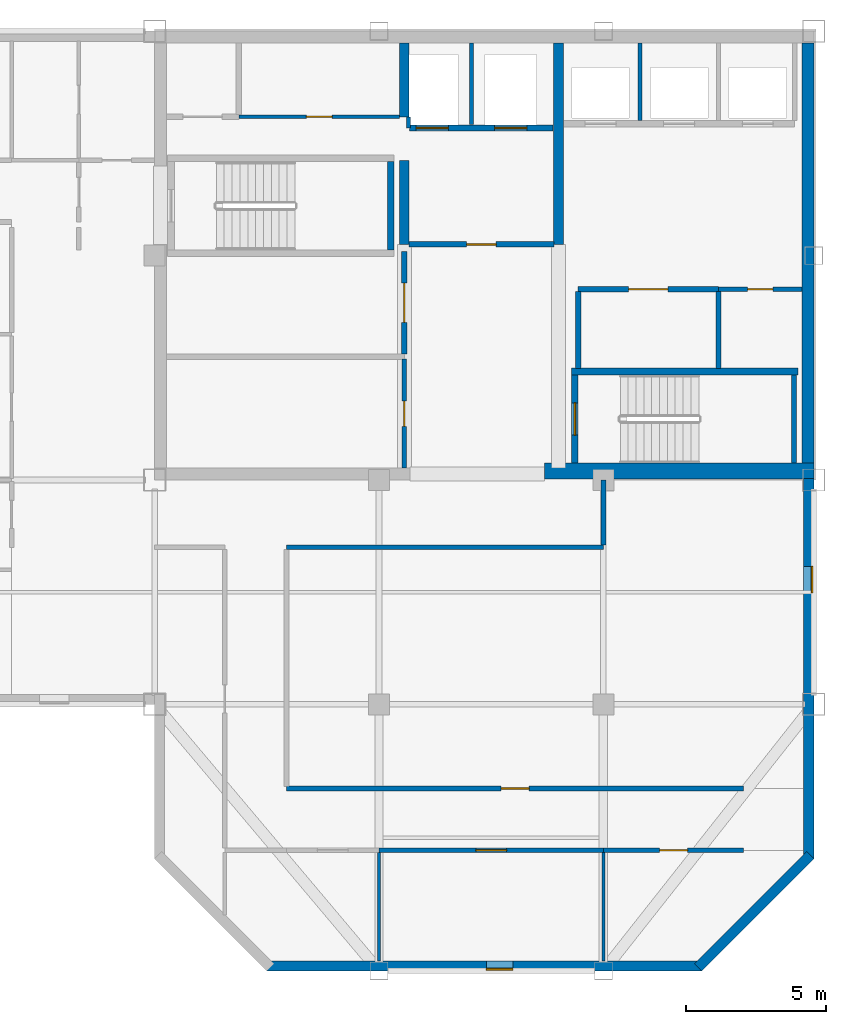
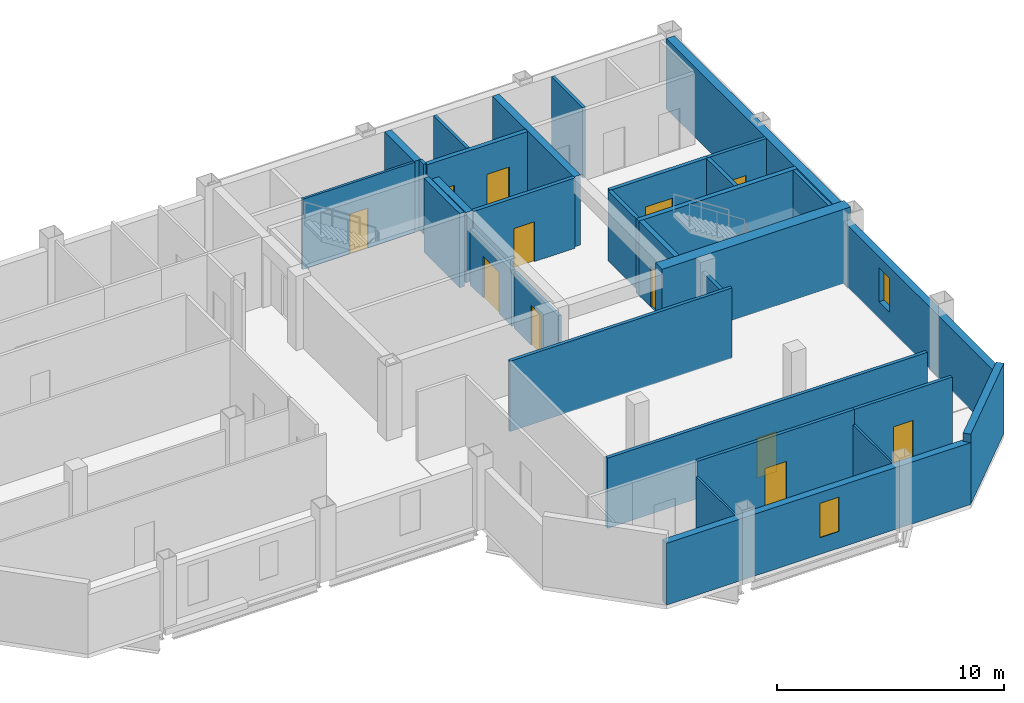
# One storey, part 3 of 7: 31 walls, 12 doors, 2 windows, 14 openings.
"""IFC4 building model written with IfcOpenShell, lengths in metres."""

from ifc_helpers import new_model, si_unit, direction, frame, frame_2d, origin, place, context, subcontext, project, spatial, rectangle, extrude, material, layer, layer_set, type_object, element, fill, save


model = new_model("IFC4")

# Units and contexts
model_context = context("Model", 3, precision=1e-05, world=origin(), true_north=direction((0.0, 1.0)))
body_context = subcontext(model_context, "Body", "Model", "MODEL_VIEW")
ifc_project = project(units=[si_unit("LENGTHUNIT", "METRE"), si_unit("AREAUNIT", "SQUARE_METRE"), si_unit("VOLUMEUNIT", "CUBIC_METRE"), si_unit("PLANEANGLEUNIT", "RADIAN"), si_unit("MASSUNIT", "GRAM", prefix="KILO")], contexts=[model_context])

# Site, building, storey
site_placement = place(None, origin())
site = spatial("IfcSite", under=ifc_project, at=site_placement, CompositionType="ELEMENT")
building_placement = place(site_placement, origin())
building = spatial("IfcBuilding", under=site, at=building_placement, Name="Qianrong Seaharbour Tower", CompositionType="ELEMENT")
storey_placement = place(building_placement, frame((0.0, 0.0, 311.199951171875)))
storey = spatial("IfcBuildingStorey", under=building, at=storey_placement, Name="L75", CompositionType="ELEMENT", Elevation=311.199951171875)

# Walls
ifc_material_1 = material(Name="Concrete C50/60", Category="concrete")
ifc_layer_1 = layer(ifc_material_1, 0.419921875)
ifc_layer_set_1 = layer_set([ifc_layer_1], Name="Concrete C50/60")
wall_type_1 = type_object("IfcWallType", Name="WALL-CORE-420", PredefinedType="SHEAR", material=ifc_layer_set_1)
wall_1_placement = place(storey_placement, frame((63.7900390625, 36.320068359375, 0.0), z_axis=(0.0, 0.0, 1.0), x_axis=(0.0, 1.0, 0.0)))
element("IfcWall", 1, at=wall_1_placement, inside=storey, type_object=wall_type_1, Name="L75 East Core Shear Wall", PredefinedType="SHEAR", context=body_context, shape_type="SweptSolid", body=[
    extrude(rectangle(XDim=15.260009765625, YDim=0.419921875, at=frame_2d((7.6298828125, 0.0))), origin(), (0.0, 0.0, 1.0), 3.78515625),
])
ifc_material_2 = material(Name="Concrete C70/85", Category="concrete")
ifc_layer_2 = layer(ifc_material_2, 0.580078125)
ifc_layer_set_2 = layer_set([ifc_layer_2], Name="Concrete C70/85")
wall_type_2 = type_object("IfcWallType", Name="WALL-CORE-580", PredefinedType="SHEAR", material=ifc_layer_set_2)
wall_2_placement = place(storey_placement, frame((54.39990234375, 36.320068359375, 0.0), z_axis=(0.0, 0.0, 1.0), x_axis=(1.0, 0.0, 0.0)))
element("IfcWall", 2, at=wall_2_placement, inside=storey, type_object=wall_type_2, Name="L75 South Core Shear Wall S3", PredefinedType="SHEAR", context=body_context, shape_type="SweptSolid", body=[
    extrude(rectangle(XDim=9.60009765625, YDim=0.580078125, at=frame_2d((4.800048828125, 0.0))), origin(), (0.0, 0.0, 1.0), 4.0),
])
ifc_layer_3 = layer(ifc_material_1, 0.35009765625)
ifc_layer_set_3 = layer_set([ifc_layer_3], Name="Concrete C50/60")
wall_type_3 = type_object("IfcWallType", Name="WALL-CORE-INT-350", PredefinedType="SHEAR", material=ifc_layer_set_3)
wall_3_placement = place(storey_placement, frame((49.39990234375, 44.39990234375, 0.0), z_axis=(0.0, 0.0, 1.0), x_axis=(0.0, 1.0, 0.0)))
element("IfcWall", 3, at=wall_3_placement, inside=storey, type_object=wall_type_3, Name="L75 Internal Core Shear Wall IW1N1", PredefinedType="SHEAR", context=body_context, shape_type="SweptSolid", body=[
    extrude(rectangle(XDim=3.0, YDim=0.35009765625, at=frame_2d((1.5, 0.0))), origin(), (0.0, 0.0, 1.0), 3.78515625),
])
wall_4_placement = place(storey_placement, frame((49.39990234375, 48.949951171875, 0.0), z_axis=(0.0, 0.0, 1.0), x_axis=(0.0, 1.0, 0.0)))
element("IfcWall", 4, at=wall_4_placement, inside=storey, type_object=wall_type_3, Name="L75 Internal Core Shear Wall IW1N2", PredefinedType="SHEAR", context=body_context, shape_type="SweptSolid", body=[
    extrude(rectangle(XDim=2.630126953125, YDim=0.35009765625, at=frame_2d((1.31494140625, 0.0))), origin(), (0.0, 0.0, 1.0), 3.78515625),
])
wall_5_placement = place(storey_placement, frame((54.89990234375, 44.39990234375, 0.0), z_axis=(0.0, 0.0, 1.0), x_axis=(0.0, 1.0, 0.0)))
element("IfcWall", 5, at=wall_5_placement, inside=storey, type_object=wall_type_3, Name="L75 Internal Core Shear Wall IW2N", PredefinedType="SHEAR", context=body_context, shape_type="SweptSolid", body=[
    extrude(rectangle(XDim=7.18017578125, YDim=0.35009765625, at=frame_2d((3.590087890625, 0.0))), origin(), (0.0, 0.0, 1.0), 3.78515625),
])

# Wall, opening, door
ifc_material_3 = material(Name="Fire-rated acoustic gypsum board partition")
ifc_layer_4 = layer(ifc_material_3, 0.1650390625)
ifc_layer_set_4 = layer_set([ifc_layer_4], Name="Fire-rated acoustic gypsum board partition")
wall_type_4 = type_object("IfcWallType", Name="WALL-CORR-PART-165", PredefinedType="PARTITIONING", material=ifc_layer_set_4)
wall_6_placement = place(storey_placement, frame((49.39990234375, 36.419921875, 0.0), z_axis=(0.0, 0.0, 1.0), x_axis=(0.0, 1.0, 0.0)))
wall_6 = element("IfcWall", 6, at=wall_6_placement, inside=storey, type_object=wall_type_4, Name="L75 Interior Partition Wall 010", PredefinedType="PARTITIONING", context=body_context, shape_type="SweptSolid", body=[
    extrude(rectangle(XDim=3.89306640625, YDim=0.1650390625, at=frame_2d((1.946533203125, 0.0))), origin(), (0.0, 0.0, 1.0), 3.027099609375),
])
opening_1_placement = place(wall_6_placement, frame((1.49658203125, 0.0, 0.0)))
opening_1 = element("IfcOpeningElement", 7, at=opening_1_placement, cuts=wall_6, Name="Opening DS-01", PredefinedType="OPENING", context=body_context, shape_type="SweptSolid", body=[
    extrude(rectangle(XDim=0.89990234375, YDim=2.14990234375, at=frame_2d((0.449951171875, 1.074951171875))), frame((0.0, 0.092529296875, 0.0), z_axis=(0.0, -1.0, 0.0), x_axis=(1.0, 0.0, 0.0)), (0.0, 0.0, 1.0), 0.18505859375),
])
ifc_material_4 = material(Name="Acoustic timber and galvanized steel fire door assembly", Category="steel")
door_type_1 = type_object("IfcDoorType", Name="DOOR-STORE-900x2150", OperationType="NOTDEFINED", PredefinedType="DOOR", material=ifc_material_4)
door_1_placement = place(opening_1_placement, origin())
door_1 = element("IfcDoor", 8, at=door_1_placement, inside=storey, type_object=door_type_1, Name="L75 Corporate Archive Room Door", OperationType="SINGLE_SWING_RIGHT", OverallHeight=2.14990234375, OverallWidth=0.89990234375, PredefinedType="DOOR", context=body_context, shape_type="SweptSolid", body=[
    extrude(rectangle(XDim=0.89990234375, YDim=2.14990234375, at=frame_2d((0.449951171875, 1.074951171875))), frame((0.0, 0.02490234375, 0.0), z_axis=(0.0, -1.0, 0.0), x_axis=(1.0, 0.0, 0.0)), (0.0, 0.0, 1.0), 0.050048828125),
])
fill(opening_1, door_1)

wall_7_placement = place(storey_placement, frame((63.580078125, 42.800048828125, 0.0), z_axis=(0.0, 0.0, 1.0), x_axis=(-1.0, 0.0, 0.0)))
wall_7 = element("IfcWall", 9, at=wall_7_placement, inside=storey, type_object=wall_type_4, Name="L75 Interior Partition Wall 015", PredefinedType="PARTITIONING", context=body_context, shape_type="SweptSolid", body=[
    extrude(rectangle(XDim=2.97998046875, YDim=0.1650390625, at=frame_2d((1.489990234375, 0.0))), origin(), (0.0, 0.0, 1.0), 3.78515625),
])
opening_2_placement = place(wall_7_placement, frame((1.0400390625, 0.0, 0.0)))
opening_2 = element("IfcOpeningElement", 10, at=opening_2_placement, cuts=wall_7, Name="Opening DS-01", PredefinedType="OPENING", context=body_context, shape_type="SweptSolid", body=[
    extrude(rectangle(XDim=0.89990234375, YDim=2.14990234375, at=frame_2d((0.449951171875, 1.074951171875))), frame((0.0, 0.092529296875, 0.0), z_axis=(0.0, -1.0, 0.0), x_axis=(1.0, 0.0, 0.0)), (0.0, 0.0, 1.0), 0.18505859375),
])
door_2_placement = place(opening_2_placement, origin())
door_2 = element("IfcDoor", 11, at=door_2_placement, inside=storey, type_object=door_type_1, Name="L75 Housekeeping Linen Store Door", OperationType="SINGLE_SWING_RIGHT", OverallHeight=2.14990234375, OverallWidth=0.89990234375, PredefinedType="DOOR", context=body_context, shape_type="SweptSolid", body=[
    extrude(rectangle(XDim=0.89990234375, YDim=2.14990234375, at=frame_2d((0.449951171875, 1.074951171875))), frame((0.0, 0.02490234375, 0.0), z_axis=(0.0, -1.0, 0.0), x_axis=(1.0, 0.0, 0.0)), (0.0, 0.0, 1.0), 0.050048828125),
])
fill(opening_2, door_2)

# Walls
wall_8_placement = place(storey_placement, frame((56.5, 36.0, 0.0), z_axis=(0.0, 0.0, 1.0), x_axis=(0.0, -1.0, 0.0)))
element("IfcWall", 12, at=wall_8_placement, inside=storey, type_object=wall_type_4, Name="L75 Interior Partition Wall 026", PredefinedType="PARTITIONING", context=body_context, shape_type="SweptSolid", body=[
    extrude(rectangle(XDim=2.325439453125, YDim=0.1650390625, at=frame_2d((1.16259765625, 0.0))), origin(), (0.0, 0.0, 1.0), 3.177001953125),
])
wall_9_placement = place(storey_placement, frame((56.5, 33.60009765625, 0.0), z_axis=(0.0, 0.0, 1.0), x_axis=(-1.0, 0.0, 0.0)))
element("IfcWall", 13, at=wall_9_placement, inside=storey, type_object=wall_type_4, Name="L75 Interior Partition Wall 027", PredefinedType="PARTITIONING", context=body_context, shape_type="SweptSolid", body=[
    extrude(rectangle(XDim=11.300048828125, YDim=0.1650390625, at=frame_2d((5.64990234375, 0.0))), origin(), (0.0, 0.0, 1.0), 3.78515625),
])

# Wall, opening, door
wall_10_placement = place(storey_placement, frame((45.199951171875, 25.0, 0.0), z_axis=(0.0, 0.0, 1.0), x_axis=(1.0, 0.0, 0.0)))
wall_10 = element("IfcWall", 14, at=wall_10_placement, inside=storey, type_object=wall_type_4, Name="L75 Interior Partition Wall 032", PredefinedType="PARTITIONING", context=body_context, shape_type="SweptSolid", body=[
    extrude(rectangle(XDim=16.300048828125, YDim=0.1650390625, at=frame_2d((8.14990234375, 0.0))), origin(), (0.0, 0.0, 1.0), 3.78515625),
])
opening_3_placement = place(wall_10_placement, frame((7.64990234375, 0.0, 0.0)))
opening_3 = element("IfcOpeningElement", 15, at=opening_3_placement, cuts=wall_10, Name="Opening DO-01", PredefinedType="OPENING", context=body_context, shape_type="SweptSolid", body=[
    extrude(rectangle(XDim=1.0, YDim=2.14990234375, at=frame_2d((0.5, 1.074951171875))), frame((0.0, 0.092529296875, 0.0), z_axis=(0.0, -1.0, 0.0), x_axis=(1.0, 0.0, 0.0)), (0.0, 0.0, 1.0), 0.18505859375),
])
door_type_2 = type_object("IfcDoorType", Name="DOOR-OFFICE-1000x2150", OperationType="NOTDEFINED", PredefinedType="DOOR", material=ifc_material_4)
door_3_placement = place(opening_3_placement, origin())
door_3 = element("IfcDoor", 16, at=door_3_placement, inside=storey, type_object=door_type_2, Name="L75 South Wing Open-Plan Office Door", OperationType="SINGLE_SWING_LEFT", OverallHeight=2.14990234375, OverallWidth=1.0, PredefinedType="DOOR", context=body_context, shape_type="SweptSolid", body=[
    extrude(rectangle(XDim=1.0, YDim=2.14990234375, at=frame_2d((0.5, 1.074951171875))), frame((0.0, 0.02490234375, 0.0), z_axis=(0.0, -1.0, 0.0), x_axis=(1.0, 0.0, 0.0)), (0.0, 0.0, 1.0), 0.050048828125),
])
fill(opening_3, door_3)

wall_11_placement = place(storey_placement, frame((56.5, 22.800048828125, 0.0), z_axis=(0.0, 0.0, 1.0), x_axis=(-1.0, 0.0, 0.0)))
wall_11 = element("IfcWall", 17, at=wall_11_placement, inside=storey, type_object=wall_type_4, Name="L75 Interior Partition Wall 034", PredefinedType="PARTITIONING", context=body_context, shape_type="SweptSolid", body=[
    extrude(rectangle(XDim=8.0, YDim=0.1650390625, at=frame_2d((4.0, 0.0))), origin(), (0.0, 0.0, 1.0), 3.78515625),
])
opening_4_placement = place(wall_11_placement, frame((3.449951171875, 0.0, 0.0)))
opening_4 = element("IfcOpeningElement", 18, at=opening_4_placement, cuts=wall_11, Name="Opening DM-01", PredefinedType="OPENING", context=body_context, shape_type="SweptSolid", body=[
    extrude(rectangle(XDim=1.10009765625, YDim=2.199951171875, at=frame_2d((0.550048828125, 1.10009765625))), frame((0.0, 0.092529296875, 0.0), z_axis=(0.0, -1.0, 0.0), x_axis=(1.0, 0.0, 0.0)), (0.0, 0.0, 1.0), 0.18505859375),
])
door_type_3 = type_object("IfcDoorType", Name="DOOR-MEET-1100x2200", OperationType="NOTDEFINED", PredefinedType="DOOR", material=ifc_material_4)
door_4_placement = place(opening_4_placement, origin())
door_4 = element("IfcDoor", 19, at=door_4_placement, inside=storey, type_object=door_type_3, Name="L75 Meeting Room 2 Door", OperationType="SINGLE_SWING_LEFT", OverallHeight=2.199951171875, OverallWidth=1.10009765625, PredefinedType="DOOR", context=body_context, shape_type="SweptSolid", body=[
    extrude(rectangle(XDim=1.10009765625, YDim=2.199951171875, at=frame_2d((0.550048828125, 1.10009765625))), frame((0.0, 0.02490234375, 0.0), z_axis=(0.0, -1.0, 0.0), x_axis=(1.0, 0.0, 0.0)), (0.0, 0.0, 1.0), 0.050048828125),
])
fill(opening_4, door_4)

wall_12_placement = place(storey_placement, frame((61.5, 22.800048828125, 0.0), z_axis=(0.0, 0.0, 1.0), x_axis=(-1.0, 0.0, 0.0)))
wall_12 = element("IfcWall", 20, at=wall_12_placement, inside=storey, type_object=wall_type_4, Name="L75 Interior Partition Wall 035", PredefinedType="PARTITIONING", context=body_context, shape_type="SweptSolid", body=[
    extrude(rectangle(XDim=5.0, YDim=0.1650390625, at=frame_2d((2.5, 0.0))), origin(), (0.0, 0.0, 1.0), 3.78515625),
])
opening_5_placement = place(wall_12_placement, frame((2.0, 0.0, 0.0)))
opening_5 = element("IfcOpeningElement", 21, at=opening_5_placement, cuts=wall_12, Name="Opening DO-01", PredefinedType="OPENING", context=body_context, shape_type="SweptSolid", body=[
    extrude(rectangle(XDim=1.0, YDim=2.14990234375, at=frame_2d((0.5, 1.074951171875))), frame((0.0, 0.092529296875, 0.0), z_axis=(0.0, -1.0, 0.0), x_axis=(1.0, 0.0, 0.0)), (0.0, 0.0, 1.0), 0.18505859375),
])
door_5_placement = place(opening_5_placement, origin())
door_5 = element("IfcDoor", 22, at=door_5_placement, inside=storey, type_object=door_type_2, Name="L75 Standards Library 3 Door", OperationType="SINGLE_SWING_RIGHT", OverallHeight=2.14990234375, OverallWidth=1.0, PredefinedType="DOOR", context=body_context, shape_type="SweptSolid", body=[
    extrude(rectangle(XDim=1.0, YDim=2.14990234375, at=frame_2d((0.5, 1.074951171875))), frame((0.0, 0.02490234375, 0.0), z_axis=(0.0, -1.0, 0.0), x_axis=(1.0, 0.0, 0.0)), (0.0, 0.0, 1.0), 0.050048828125),
])
fill(opening_5, door_5)

# Walls
ifc_material_5 = material(Name="Demountable aluminium-framed acoustic office partition", Category="aluminium")
ifc_layer_5 = layer(ifc_material_5, 0.110107421875)
ifc_layer_set_5 = layer_set([ifc_layer_5], Name="Demountable aluminium-framed acoustic office partition")
wall_type_5 = type_object("IfcWallType", Name="WALL-DEMOUNT-110", PredefinedType="MOVABLE", material=ifc_layer_set_5)
for number, where, z_axis, x_axis, name in (
    (23, (48.5, 22.7255859375, 0.0), (0.0, 0.0, 1.0), (0.0, -1.0, 0.0), "L75 Interior Partition Wall 043"),
    (24, (56.5, 22.7255859375, 0.0), (0.0, 0.0, 1.0), (0.0, -1.0, 0.0), "L75 Interior Partition Wall 044"),
):
    element("IfcWall", number, at=place(storey_placement, frame(where, z_axis=z_axis, x_axis=x_axis)), inside=storey, type_object=wall_type_5, Name=name, PredefinedType="MOVABLE", context=body_context, shape_type="SweptSolid", body=[
        extrude(rectangle(XDim=3.87353515625, YDim=0.110107421875, at=frame_2d((1.936767578125, 0.0))), origin(), (0.0, 0.0, 1.0), 2.97705078125),
    ])

# Wall, opening, window
ifc_material_6 = material(Name="Unitised red brick on Precast concrete C45/55", Category="masonry")
ifc_layer_6 = layer(ifc_material_6, 0.360107421875)
ifc_layer_set_6 = layer_set([ifc_layer_6], Name="Unitised red brick on Precast concrete C45/55")
wall_type_6 = type_object("IfcWallType", Name="WALL-EXT-BRICK-RED-360", PredefinedType="SOLIDWALL", material=ifc_layer_set_6)
wall_13_placement = place(storey_placement, frame((63.820068359375, 36.050048828125, 0.0), z_axis=(0.0, 0.0, 1.0), x_axis=(0.0, -1.0, 0.0)))
wall_13 = element("IfcWall", 25, at=wall_13_placement, inside=storey, type_object=wall_type_6, Name="L75 Exterior Masonry Facade Wall EAST_WING", PredefinedType="SOLIDWALL", context=body_context, shape_type="SweptSolid", body=[
    extrude(rectangle(XDim=13.550048828125, YDim=0.360107421875, at=frame_2d((6.77490234375, 0.0))), origin(), (0.0, 0.0, 1.0), 3.3349609375),
])
opening_6_placement = place(wall_13_placement, frame((3.125, 0.0, 0.89990234375)))
opening_6 = element("IfcOpeningElement", 26, at=opening_6_placement, cuts=wall_13, Name="Opening WN-13", PredefinedType="OPENING", context=body_context, shape_type="SweptSolid", body=[
    extrude(rectangle(XDim=0.949951171875, YDim=1.85009765625, at=frame_2d((0.47509765625, 0.925048828125))), frame((0.0, 0.18994140625, 0.0), z_axis=(0.0, -1.0, 0.0), x_axis=(1.0, 0.0, 0.0)), (0.0, 0.0, 1.0), 0.380126953125),
])
ifc_material_7 = material(Name="Insulated low-e double glazing in thermally broken aluminium 6063-T6 frame", Category="aluminium")
window_type = type_object("IfcWindowType", Name="WIN-NARROW-950x1850", PartitioningType="SINGLE_PANEL", PredefinedType="WINDOW", material=ifc_material_7)
window_1_placement = place(opening_6_placement, origin())
window_1 = element("IfcWindow", 27, at=window_1_placement, inside=storey, type_object=window_type, Name="L75 Deep-Set Punched Window 06.01", OverallHeight=1.85009765625, OverallWidth=0.949951171875, PartitioningType="SINGLE_PANEL", PredefinedType="WINDOW", context=body_context, shape_type="SweptSolid", body=[
    extrude(rectangle(XDim=0.949951171875, YDim=1.85009765625, at=frame_2d((0.47509765625, 0.925048828125))), frame((0.0, 0.150146484375, 0.0), z_axis=(0.0, -1.0, 0.0), x_axis=(1.0, 0.0, 0.0)), (0.0, 0.0, 1.0), 0.06005859375),
])
fill(opening_6, window_1)

# Wall
wall_14_placement = place(storey_placement, frame((63.872802734375, 22.627197265625, 0.0), z_axis=(0.0, 0.0, 1.0), x_axis=(-0.707106781187, -0.707106781187, 0.0)))
element("IfcWall", 28, at=wall_14_placement, inside=storey, type_object=wall_type_6, Name="L75 Exterior Masonry Facade Wall E07", PredefinedType="SOLIDWALL", context=body_context, shape_type="SweptSolid", body=[
    extrude(rectangle(XDim=5.65673828125, YDim=0.360107421875, at=frame_2d((2.828369140625, 0.0))), origin(), (0.0, 0.0, 1.0), 3.78515625),
])

# Wall, opening, window
wall_15_placement = place(storey_placement, frame((60.0, 18.679931640625, 0.0), z_axis=(0.0, 0.0, 1.0), x_axis=(-1.0, 0.0, 0.0)))
wall_15 = element("IfcWall", 29, at=wall_15_placement, inside=storey, type_object=wall_type_6, Name="L75 Exterior Masonry Facade Wall SOUTH_TIP", PredefinedType="SOLIDWALL", context=body_context, shape_type="SweptSolid", body=[
    extrude(rectangle(XDim=15.5, YDim=0.360107421875, at=frame_2d((7.75, 0.0))), origin(), (0.0, 0.0, 1.0), 3.3349609375),
])
opening_7_placement = place(wall_15_placement, frame((6.72509765625, 0.0, 0.89990234375)))
opening_7 = element("IfcOpeningElement", 30, at=opening_7_placement, cuts=wall_15, Name="Opening WN-13", PredefinedType="OPENING", context=body_context, shape_type="SweptSolid", body=[
    extrude(rectangle(XDim=0.949951171875, YDim=1.85009765625, at=frame_2d((0.47509765625, 0.925048828125))), frame((0.0, 0.18994140625, 0.0), z_axis=(0.0, -1.0, 0.0), x_axis=(1.0, 0.0, 0.0)), (0.0, 0.0, 1.0), 0.380126953125),
])
window_2_placement = place(opening_7_placement, origin())
window_2 = element("IfcWindow", 31, at=window_2_placement, inside=storey, type_object=window_type, Name="L75 Deep-Set Punched Window 08.02", OverallHeight=1.85009765625, OverallWidth=0.949951171875, PartitioningType="SINGLE_PANEL", PredefinedType="WINDOW", context=body_context, shape_type="SweptSolid", body=[
    extrude(rectangle(XDim=0.949951171875, YDim=1.85009765625, at=frame_2d((0.47509765625, 0.925048828125))), frame((0.0, 0.150146484375, 0.0), z_axis=(0.0, -1.0, 0.0), x_axis=(1.0, 0.0, 0.0)), (0.0, 0.0, 1.0), 0.06005859375),
])
fill(opening_7, window_2)

# Wall, opening, door
ifc_material_8 = material(Name="Double fire-rated gypsum board acoustic partition")
ifc_layer_7 = layer(ifc_material_8, 0.18994140625)
ifc_layer_set_7 = layer_set([ifc_layer_7], Name="Double fire-rated gypsum board acoustic partition")
wall_type_7 = type_object("IfcWallType", Name="WALL-FIRE-PART-190", PredefinedType="PARTITIONING", material=ifc_layer_set_7)
wall_16_placement = place(storey_placement, frame((54.73291015625, 44.39990234375, 0.0), z_axis=(0.0, 0.0, 1.0), x_axis=(-1.0, 0.0, 0.0)))
wall_16 = element("IfcWall", 32, at=wall_16_placement, inside=storey, type_object=wall_type_7, Name="L75 Interior Partition Wall 009", PredefinedType="PARTITIONING", context=body_context, shape_type="SweptSolid", body=[
    extrude(rectangle(XDim=5.166015625, YDim=0.18994140625, at=frame_2d((2.5830078125, 0.0))), origin(), (0.0, 0.0, 1.0), 3.78515625),
])
opening_8_placement = place(wall_16_placement, frame((2.05810546875, 0.0, 0.0)))
opening_8 = element("IfcOpeningElement", 33, at=opening_8_placement, cuts=wall_16, Name="Opening DC-01", PredefinedType="OPENING", context=body_context, shape_type="SweptSolid", body=[
    extrude(rectangle(XDim=1.050048828125, YDim=2.14990234375, at=frame_2d((0.52490234375, 1.074951171875))), frame((0.0, 0.10498046875, 0.0), z_axis=(0.0, -1.0, 0.0), x_axis=(1.0, 0.0, 0.0)), (0.0, 0.0, 1.0), 0.2099609375),
])
door_type_4 = type_object("IfcDoorType", Name="DOOR-CORR-FD60-1050x2150", OperationType="NOTDEFINED", PredefinedType="DOOR", material=ifc_material_4)
door_6_placement = place(opening_8_placement, origin())
door_6 = element("IfcDoor", 34, at=door_6_placement, inside=storey, type_object=door_type_4, Name="L75 Firefighting Lift Lobby Door", OperationType="SINGLE_SWING_LEFT", OverallHeight=2.14990234375, OverallWidth=1.050048828125, PredefinedType="DOOR", context=body_context, shape_type="SweptSolid", body=[
    extrude(rectangle(XDim=1.050048828125, YDim=2.14990234375, at=frame_2d((0.52490234375, 1.074951171875))), frame((0.0, 0.02490234375, 0.0), z_axis=(0.0, -1.0, 0.0), x_axis=(1.0, 0.0, 0.0)), (0.0, 0.0, 1.0), 0.050048828125),
])
fill(opening_8, door_6)

wall_17_placement = place(storey_placement, frame((49.39990234375, 40.487060546875, 0.0), z_axis=(0.0, 0.0, 1.0), x_axis=(0.0, 1.0, 0.0)))
wall_17 = element("IfcWall", 35, at=wall_17_placement, inside=storey, type_object=wall_type_7, Name="L75 Interior Partition Wall 011", PredefinedType="PARTITIONING", context=body_context, shape_type="SweptSolid", body=[
    extrude(rectangle(XDim=3.662841796875, YDim=0.18994140625, at=frame_2d((1.83154296875, 0.0))), origin(), (0.0, 0.0, 1.0), 3.027099609375),
])
opening_9_placement = place(wall_17_placement, frame((1.131591796875, 0.0, 0.0)))
opening_9 = element("IfcOpeningElement", 36, at=opening_9_placement, cuts=wall_17, Name="Opening DP-01", PredefinedType="OPENING", context=body_context, shape_type="SweptSolid", body=[
    extrude(rectangle(XDim=1.39990234375, YDim=2.25, at=frame_2d((0.699951171875, 1.125))), frame((0.0, 0.10498046875, 0.0), z_axis=(0.0, -1.0, 0.0), x_axis=(1.0, 0.0, 0.0)), (0.0, 0.0, 1.0), 0.2099609375),
])
door_type_5 = type_object("IfcDoorType", Name="DOOR-PLANT-PAIR-1400x2250", OperationType="DOUBLE_DOOR_SINGLE_SWING", PredefinedType="DOOR", material=ifc_material_4)
door_7_placement = place(opening_9_placement, origin())
door_7 = element("IfcDoor", 37, at=door_7_placement, inside=storey, type_object=door_type_5, Name="L75 Telecom Server Room Door", OperationType="DOUBLE_DOOR_SINGLE_SWING", OverallHeight=2.25, OverallWidth=1.39990234375, PredefinedType="DOOR", context=body_context, shape_type="SweptSolid", body=[
    extrude(rectangle(XDim=1.39990234375, YDim=2.25, at=frame_2d((0.699951171875, 1.125))), frame((0.0, 0.02490234375, 0.0), z_axis=(0.0, -1.0, 0.0), x_axis=(1.0, 0.0, 0.0)), (0.0, 0.0, 1.0), 0.050048828125),
])
fill(opening_9, door_7)

# Wall
wall_18_placement = place(storey_placement, frame((55.60009765625, 42.712890625, 0.0), z_axis=(0.0, 0.0, 1.0), x_axis=(0.0, -1.0, 0.0)))
element("IfcWall", 38, at=wall_18_placement, inside=storey, type_object=wall_type_7, Name="L75 Interior Partition Wall 012", PredefinedType="PARTITIONING", context=body_context, shape_type="SweptSolid", body=[
    extrude(rectangle(XDim=2.73095703125, YDim=0.18994140625, at=frame_2d((1.365478515625, 0.0))), origin(), (0.0, 0.0, 1.0), 3.78515625),
])

# Wall, opening, door
wall_19_placement = place(storey_placement, frame((60.60009765625, 42.800048828125, 0.0), z_axis=(0.0, 0.0, 1.0), x_axis=(-1.0, 0.0, 0.0)))
wall_19 = element("IfcWall", 39, at=wall_19_placement, inside=storey, type_object=wall_type_7, Name="L75 Interior Partition Wall 014", PredefinedType="PARTITIONING", context=body_context, shape_type="SweptSolid", body=[
    extrude(rectangle(XDim=5.0, YDim=0.18994140625, at=frame_2d((2.5, 0.0))), origin(), (0.0, 0.0, 1.0), 3.78515625),
])
opening_10_placement = place(wall_19_placement, frame((1.800048828125, 0.0, 0.0)))
opening_10 = element("IfcOpeningElement", 40, at=opening_10_placement, cuts=wall_19, Name="Opening DP-01", PredefinedType="OPENING", context=body_context, shape_type="SweptSolid", body=[
    extrude(rectangle(XDim=1.39990234375, YDim=2.25, at=frame_2d((0.699951171875, 1.125))), frame((0.0, 0.10498046875, 0.0), z_axis=(0.0, -1.0, 0.0), x_axis=(1.0, 0.0, 0.0)), (0.0, 0.0, 1.0), 0.2099609375),
])
door_8_placement = place(opening_10_placement, origin())
door_8 = element("IfcDoor", 41, at=door_8_placement, inside=storey, type_object=door_type_5, Name="L75 Submetering Switch Room Door", OperationType="DOUBLE_DOOR_SINGLE_SWING", OverallHeight=2.25, OverallWidth=1.39990234375, PredefinedType="DOOR", context=body_context, shape_type="SweptSolid", body=[
    extrude(rectangle(XDim=1.39990234375, YDim=2.25, at=frame_2d((0.699951171875, 1.125))), frame((0.0, 0.02490234375, 0.0), z_axis=(0.0, -1.0, 0.0), x_axis=(1.0, 0.0, 0.0)), (0.0, 0.0, 1.0), 0.050048828125),
])
fill(opening_10, door_8)

# Walls
wall_20_placement = place(storey_placement, frame((60.60009765625, 42.712890625, 0.0), z_axis=(0.0, 0.0, 1.0), x_axis=(0.0, -1.0, 0.0)))
element("IfcWall", 42, at=wall_20_placement, inside=storey, type_object=wall_type_7, Name="L75 Interior Partition Wall 017", PredefinedType="PARTITIONING", context=body_context, shape_type="SweptSolid", body=[
    extrude(rectangle(XDim=2.73095703125, YDim=0.18994140625, at=frame_2d((1.365478515625, 0.0))), origin(), (0.0, 0.0, 1.0), 3.78515625),
])
ifc_material_9 = material(Name="Fire-rated gypsum board on steel studs", Category="steel")
ifc_layer_8 = layer(ifc_material_9, 0.14990234375)
ifc_layer_set_8 = layer_set([ifc_layer_8], Name="Fire-rated gypsum board on steel studs")
wall_type_8 = type_object("IfcWallType", Name="WALL-SHAFT-DIV-150", PredefinedType="PARTITIONING", material=ifc_layer_set_8)
wall_21_placement = place(storey_placement, frame((51.800048828125, 48.669921875, 0.0), z_axis=(0.0, 0.0, 1.0), x_axis=(0.0, 1.0, 0.0)))
element("IfcWall", 43, at=wall_21_placement, inside=storey, type_object=wall_type_8, Name="L75 Firefighting Lift Shaft Divider Wall", PredefinedType="PARTITIONING", context=body_context, shape_type="SweptSolid", body=[
    extrude(rectangle(XDim=2.91015625, YDim=0.14990234375, at=frame_2d((1.455078125, 0.0))), origin(), (0.0, 0.0, 1.0), 3.78515625),
])
wall_22_placement = place(storey_placement, frame((49.550048828125, 48.550048828125, 0.0), z_axis=(0.0, 0.0, 1.0), x_axis=(0.0, 1.0, 0.0)))
element("IfcWall", 44, at=wall_22_placement, inside=storey, type_object=wall_type_8, Name="L75 Firefighting Lift Shaft West Return Wall", PredefinedType="PARTITIONING", context=body_context, shape_type="SweptSolid", body=[
    extrude(rectangle(XDim=0.39990234375, YDim=0.14990234375, at=frame_2d((0.199951171875, 0.0))), origin(), (0.0, 0.0, 1.0), 3.78515625),
])
wall_23_placement = place(storey_placement, frame((57.800048828125, 48.81005859375, 0.0), z_axis=(0.0, 0.0, 1.0), x_axis=(0.0, 1.0, 0.0)))
element("IfcWall", 45, at=wall_23_placement, inside=storey, type_object=wall_type_8, Name="L75 P4 Lift Hoistway Divider 2", PredefinedType="PARTITIONING", context=body_context, shape_type="SweptSolid", body=[
    extrude(rectangle(XDim=2.77001953125, YDim=0.14990234375, at=frame_2d((1.385009765625, 0.0))), origin(), (0.0, 0.0, 1.0), 3.78515625),
])

# Wall, openings, doors
ifc_layer_9 = layer(ifc_material_9, 0.219970703125)
ifc_layer_set_9 = layer_set([ifc_layer_9], Name="Fire-rated gypsum board on steel studs")
wall_type_9 = type_object("IfcWallType", Name="WALL-SHAFT-GYP220", PredefinedType="PARTITIONING", material=ifc_layer_set_9)
wall_24_placement = place(storey_placement, frame((54.7099609375, 48.550048828125, 0.0), z_axis=(0.0, 0.0, 1.0), x_axis=(-1.0, 0.0, 0.0)))
wall_24 = element("IfcWall", 46, at=wall_24_placement, inside=storey, type_object=wall_type_9, Name="L75 Firefighting Lift Shaft Front Wall", PredefinedType="PARTITIONING", context=body_context, shape_type="SweptSolid", body=[
    extrude(rectangle(XDim=5.119873046875, YDim=0.219970703125, at=frame_2d((2.56005859375, 0.0))), origin(), (0.0, 0.0, 1.0), 3.78515625),
])
opening_11_placement = place(wall_24_placement, frame((3.735107421875, 0.0, 0.0)))
opening_11 = element("IfcOpeningElement", 47, at=opening_11_placement, cuts=wall_24, Name="Opening LD-01", PredefinedType="OPENING", context=body_context, shape_type="SweptSolid", body=[
    extrude(rectangle(XDim=1.14990234375, YDim=2.199951171875, at=frame_2d((0.574951171875, 1.10009765625))), frame((0.0, 0.1201171875, 0.0), z_axis=(0.0, -1.0, 0.0), x_axis=(1.0, 0.0, 0.0)), (0.0, 0.0, 1.0), 0.239990234375),
])
opening_12_placement = place(wall_24_placement, frame((0.93505859375, 0.0, 0.0)))
opening_12 = element("IfcOpeningElement", 48, at=opening_12_placement, cuts=wall_24, Name="Opening LD-01", PredefinedType="OPENING", context=body_context, shape_type="SweptSolid", body=[
    extrude(rectangle(XDim=1.14990234375, YDim=2.199951171875, at=frame_2d((0.574951171875, 1.10009765625))), frame((0.0, 0.1201171875, 0.0), z_axis=(0.0, -1.0, 0.0), x_axis=(1.0, 0.0, 0.0)), (0.0, 0.0, 1.0), 0.239990234375),
])
ifc_material_10 = material(Name="Stainless steel SUS316L bi-parting lift landing door", Category="steel")
door_type_6 = type_object("IfcDoorType", Name="DOOR-LIFT-FF-1150x2200", OperationType="DOUBLE_DOOR_SLIDING", PredefinedType="DOOR", material=ifc_material_10)
door_9_placement = place(opening_11_placement, origin())
door_9 = element("IfcDoor", 49, at=door_9_placement, inside=storey, type_object=door_type_6, Name="L75 FL-1 Firefighting Lift Landing Door", OperationType="DOUBLE_DOOR_SLIDING", OverallHeight=2.199951171875, OverallWidth=1.14990234375, PredefinedType="DOOR", context=body_context, shape_type="SweptSolid", body=[
    extrude(rectangle(XDim=1.14990234375, YDim=2.199951171875, at=frame_2d((0.574951171875, 1.10009765625))), frame((0.0, 0.02490234375, 0.0), z_axis=(0.0, -1.0, 0.0), x_axis=(1.0, 0.0, 0.0)), (0.0, 0.0, 1.0), 0.050048828125),
])
fill(opening_11, door_9)
door_10_placement = place(opening_12_placement, origin())
door_10 = element("IfcDoor", 50, at=door_10_placement, inside=storey, type_object=door_type_6, Name="L75 FL-2 Firefighting Lift Landing Door", OperationType="DOUBLE_DOOR_SLIDING", OverallHeight=2.199951171875, OverallWidth=1.14990234375, PredefinedType="DOOR", context=body_context, shape_type="SweptSolid", body=[
    extrude(rectangle(XDim=1.14990234375, YDim=2.199951171875, at=frame_2d((0.574951171875, 1.10009765625))), frame((0.0, 0.02490234375, 0.0), z_axis=(0.0, -1.0, 0.0), x_axis=(1.0, 0.0, 0.0)), (0.0, 0.0, 1.0), 0.050048828125),
])
fill(opening_12, door_10)

# Walls
ifc_layer_10 = layer(ifc_material_1, 0.239990234375)
ifc_layer_set_10 = layer_set([ifc_layer_10], Name="Concrete C50/60")
wall_type_10 = type_object("IfcWallType", Name="WALL-SHAFT-RC240", PredefinedType="SOLIDWALL", material=ifc_layer_set_10)
wall_25_placement = place(storey_placement, frame((48.919921875, 44.199951171875, 0.0), z_axis=(0.0, 0.0, 1.0), x_axis=(0.0, 1.0, 0.0)))
element("IfcWall", 51, at=wall_25_placement, inside=storey, type_object=wall_type_10, Name="L75 ST-1 Structural Stair Core Wall E", PredefinedType="SOLIDWALL", context=body_context, shape_type="SweptSolid", body=[
    extrude(rectangle(XDim=3.150146484375, YDim=0.239990234375, at=frame_2d((1.5751953125, 0.0))), origin(), (0.0, 0.0, 1.0), 4.0),
])
wall_26_placement = place(storey_placement, frame((55.360107421875, 39.8701171875, 0.0), z_axis=(0.0, 0.0, 1.0), x_axis=(1.0, 0.0, 0.0)))
element("IfcWall", 52, at=wall_26_placement, inside=storey, type_object=wall_type_10, Name="L75 ST-2 Structural Stair Core Wall N", PredefinedType="SOLIDWALL", context=body_context, shape_type="SweptSolid", body=[
    extrude(rectangle(XDim=8.079833984375, YDim=0.239990234375, at=frame_2d((4.0400390625, 0.0))), origin(), (0.0, 0.0, 1.0), 4.0),
])

# Wall, opening, door
wall_27_placement = place(storey_placement, frame((55.47998046875, 39.75, 0.0), z_axis=(0.0, 0.0, 1.0), x_axis=(0.0, -1.0, 0.0)))
wall_27 = element("IfcWall", 53, at=wall_27_placement, inside=storey, type_object=wall_type_10, Name="L75 ST-2 Structural Stair Core Wall W", PredefinedType="SOLIDWALL", context=body_context, shape_type="SweptSolid", body=[
    extrude(rectangle(XDim=3.14990234375, YDim=0.239990234375, at=frame_2d((1.574951171875, 0.0))), origin(), (0.0, 0.0, 1.0), 4.0),
])
opening_13_placement = place(wall_27_placement, frame((1.0, 0.0, 0.0)))
opening_13 = element("IfcOpeningElement", 54, at=opening_13_placement, cuts=wall_27, Name="Opening SD-01", PredefinedType="OPENING", context=body_context, shape_type="SweptSolid", body=[
    extrude(rectangle(XDim=1.14990234375, YDim=2.199951171875, at=frame_2d((0.574951171875, 1.10009765625))), frame((0.0, 0.1298828125, 0.0), z_axis=(0.0, -1.0, 0.0), x_axis=(1.0, 0.0, 0.0)), (0.0, 0.0, 1.0), 0.260009765625),
])
door_type_7 = type_object("IfcDoorType", Name="DOOR-STAIR-FD60-1150x2200", OperationType="NOTDEFINED", PredefinedType="DOOR", material=ifc_material_4)
door_11_placement = place(opening_13_placement, origin())
door_11 = element("IfcDoor", 55, at=door_11_placement, inside=storey, type_object=door_type_7, Name="L75 ST-2 Protected Stair Door", OperationType="SINGLE_SWING_RIGHT", OverallHeight=2.199951171875, OverallWidth=1.14990234375, PredefinedType="DOOR", context=body_context, shape_type="SweptSolid", body=[
    extrude(rectangle(XDim=1.14990234375, YDim=2.199951171875, at=frame_2d((0.574951171875, 1.10009765625))), frame((0.0, 0.02490234375, 0.0), z_axis=(0.0, -1.0, 0.0), x_axis=(1.0, 0.0, 0.0)), (0.0, 0.0, 1.0), 0.050048828125),
])
fill(opening_13, door_11)

# Wall
wall_28_placement = place(storey_placement, frame((63.2900390625, 36.60009765625, 0.0), z_axis=(0.0, 0.0, 1.0), x_axis=(0.0, 1.0, 0.0)))
element("IfcWall", 56, at=wall_28_placement, inside=storey, type_object=wall_type_10, Name="L75 ST-2 Structural Stair Core Wall E", PredefinedType="SOLIDWALL", context=body_context, shape_type="SweptSolid", body=[
    extrude(rectangle(XDim=3.14990234375, YDim=0.179931640625, at=frame_2d((1.574951171875, 0.0))), origin(), (0.0, 0.0, 1.0), 4.0),
])

# Wall, opening, door
ifc_material_11 = material(Name="Water-resistant cement board sanitary partition")
ifc_layer_11 = layer(ifc_material_11, 0.1298828125)
ifc_layer_set_11 = layer_set([ifc_layer_11], Name="Water-resistant cement board sanitary partition")
wall_type_11 = type_object("IfcWallType", Name="WALL-WET-PART-130", PredefinedType="PARTITIONING", material=ifc_layer_set_11)
wall_29_placement = place(storey_placement, frame((43.5, 48.949951171875, 0.0), z_axis=(0.0, 0.0, 1.0), x_axis=(1.0, 0.0, 0.0)))
wall_29 = element("IfcWall", 57, at=wall_29_placement, inside=storey, type_object=wall_type_11, Name="L75 Interior Partition Wall 008", PredefinedType="PARTITIONING", context=body_context, shape_type="SweptSolid", body=[
    extrude(rectangle(XDim=5.73291015625, YDim=0.1298828125, at=frame_2d((2.866455078125, 0.0))), origin(), (0.0, 0.0, 1.0), 3.78515625),
])
opening_14_placement = place(wall_29_placement, frame((2.406494140625, 0.0, 0.0)))
opening_14 = element("IfcOpeningElement", 58, at=opening_14_placement, cuts=wall_29, Name="Opening DW-01", PredefinedType="OPENING", context=body_context, shape_type="SweptSolid", body=[
    extrude(rectangle(XDim=0.919921875, YDim=2.14990234375, at=frame_2d((0.4599609375, 1.074951171875))), frame((0.0, 0.074951171875, 0.0), z_axis=(0.0, -1.0, 0.0), x_axis=(1.0, 0.0, 0.0)), (0.0, 0.0, 1.0), 0.14990234375),
])
door_type_8 = type_object("IfcDoorType", Name="DOOR-WC-920x2150", OperationType="NOTDEFINED", PredefinedType="DOOR", material=ifc_material_4)
door_12_placement = place(opening_14_placement, origin())
door_12 = element("IfcDoor", 59, at=door_12_placement, inside=storey, type_object=door_type_8, Name="L75 Staff Restroom WC Door", OperationType="SINGLE_SWING_LEFT", OverallHeight=2.14990234375, OverallWidth=0.919921875, PredefinedType="DOOR", context=body_context, shape_type="SweptSolid", body=[
    extrude(rectangle(XDim=0.919921875, YDim=2.14990234375, at=frame_2d((0.4599609375, 1.074951171875))), frame((0.0, 0.02490234375, 0.0), z_axis=(0.0, -1.0, 0.0), x_axis=(1.0, 0.0, 0.0)), (0.0, 0.0, 1.0), 0.050048828125),
])
fill(opening_14, door_12)

save(model, "model.ifc")
